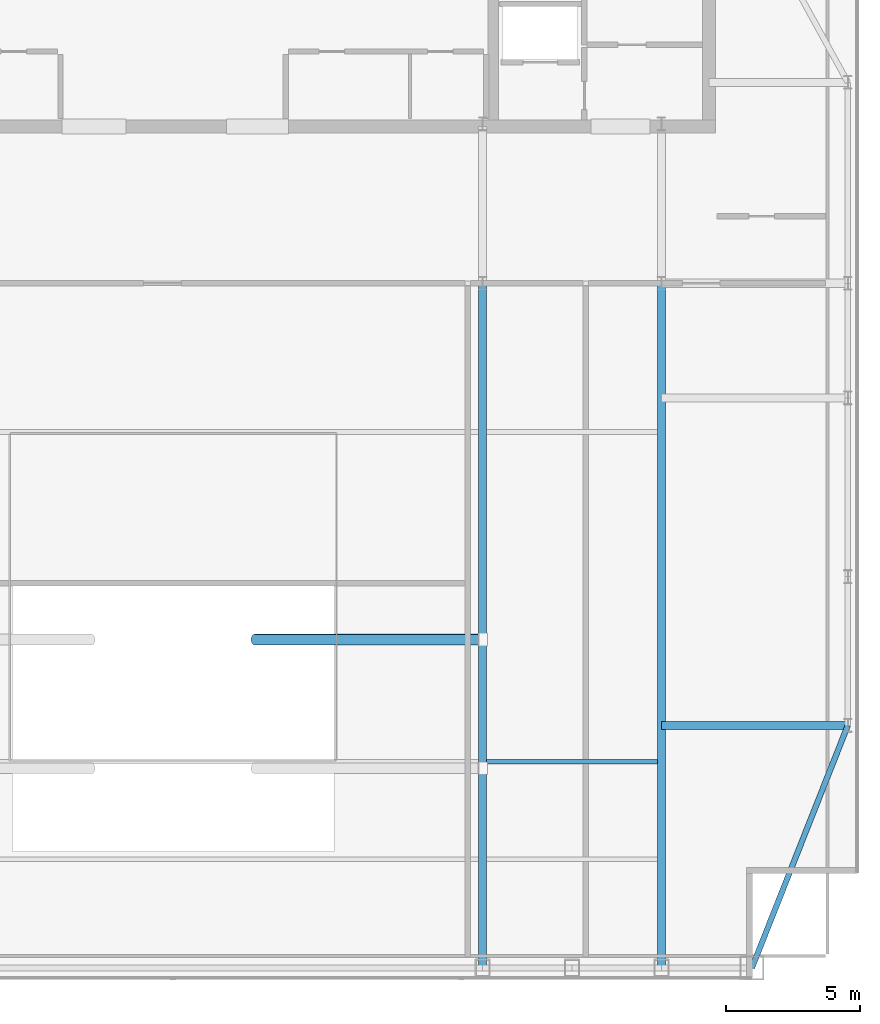
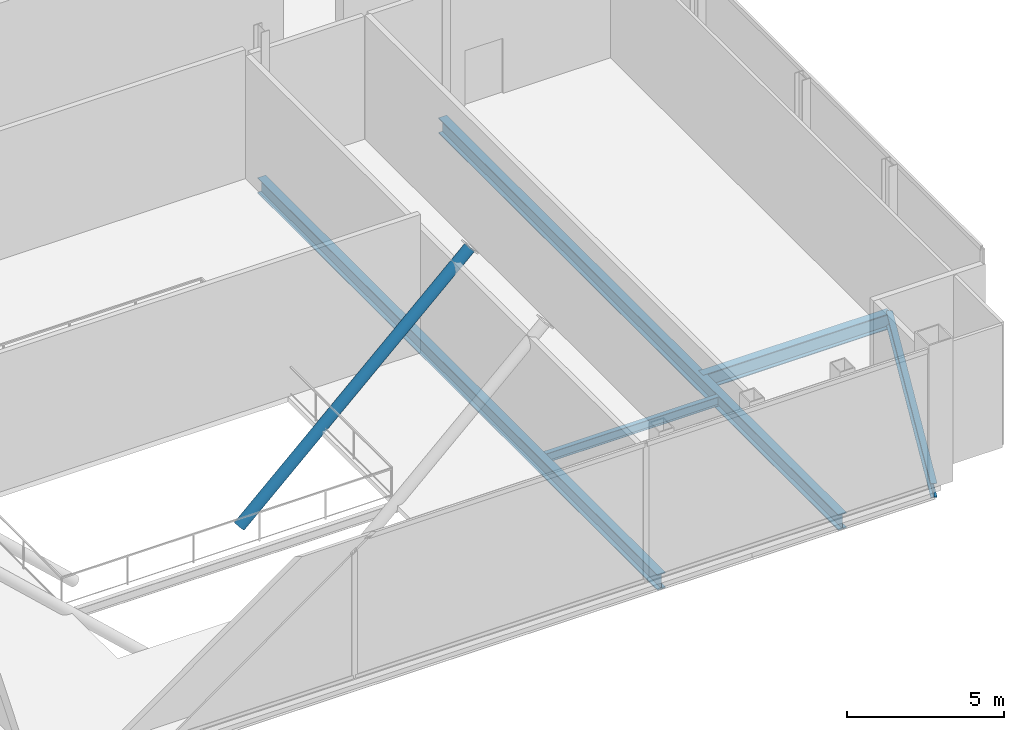
# One storey, part 12 of 23: 5 beams, 1 member.
"""IFC4 building model written with IfcOpenShell, lengths in metres."""

from ifc_helpers import new_model, si_unit, direction, frame, origin, origin_2d, place, context, subcontext, project, spatial, hollow_circle, i_section, extrude, material, material_profile, profile_set, type_object, element, save


model = new_model("IFC4")

# Units and contexts
model_context = context("Model", 3, precision=1e-05, world=origin(), true_north=direction((0.0, 1.0)))
body_context = subcontext(model_context, "Body", "Model", "MODEL_VIEW")
ifc_project = project(units=[si_unit("LENGTHUNIT", "METRE"), si_unit("AREAUNIT", "SQUARE_METRE"), si_unit("VOLUMEUNIT", "CUBIC_METRE"), si_unit("PLANEANGLEUNIT", "RADIAN"), si_unit("MASSUNIT", "GRAM", prefix="KILO")], contexts=[model_context])

# Site, building, storey
site_placement = place(None, origin())
site = spatial("IfcSite", under=ifc_project, at=site_placement, CompositionType="ELEMENT")
building_placement = place(site_placement, origin())
building = spatial("IfcBuilding", under=site, at=building_placement, Name="Khoronbel Lancet Exchange", CompositionType="ELEMENT")
storey_placement = place(building_placement, frame((0.0, 0.0, 356.199951171875)))
storey = spatial("IfcBuildingStorey", under=building, at=storey_placement, Name="L92", CompositionType="ELEMENT", Elevation=356.199951171875)

# Beams
ifc_material = material(Name="Steel S355", Category="steel")
ifc_material_profile_1 = material_profile(ifc_material, i_section(OverallWidth=0.300048828125, OverallDepth=0.60009765625, WebThickness=0.015380859375, FlangeThickness=0.030029296875, at=origin_2d()), Name="HEB 600")
ifc_profile_set_1 = profile_set([ifc_material_profile_1], Name="Steel S355")
beam_type_1 = type_object("IfcBeamType", Name="BM-BG5", PredefinedType="BEAM", material=ifc_profile_set_1)
for number, where, z_axis, x_axis, name in (
    (1, (48.0, 10.14990234375, -0.5), (0.0, 1.0, 0.0), (-1.0, 0.0, 0.0), "Level L92 south primary girder GS5"),
    (2, (54.675048828125, 10.14990234375, -0.5), (0.0, 1.0, 0.0), (-1.0, 0.0, 0.0), "Level L92 south primary girder GS6"),
):
    element("IfcBeam", number, at=place(storey_placement, frame(where, z_axis=z_axis, x_axis=x_axis)), inside=storey, type_object=beam_type_1, Name=name, PredefinedType="BEAM", context=body_context, shape_type="SweptSolid", body=[
        extrude(i_section(OverallWidth=0.300048828125, OverallDepth=0.60009765625, WebThickness=0.015380859375, FlangeThickness=0.030029296875, at=origin_2d()), origin(), (0.0, 0.0, 1.0), 25.550048828125),
    ])
beam_1_placement = place(storey_placement, frame((54.675048828125, 19.199951171875, -0.5), z_axis=(1.0, 0.0, 0.0), x_axis=(0.0, 1.0, 0.0)))
element("IfcBeam", 3, at=beam_1_placement, inside=storey, type_object=beam_type_1, Name="Level L92 east lens tie girder LG1E", PredefinedType="BEAM", context=body_context, shape_type="SweptSolid", body=[
    extrude(i_section(OverallWidth=0.300048828125, OverallDepth=0.60009765625, WebThickness=0.015380859375, FlangeThickness=0.030029296875, at=origin_2d()), origin(), (0.0, 0.0, 1.0), 6.954833984375),
])
ifc_material_profile_2 = material_profile(ifc_material, i_section(OverallWidth=0.169921875, OverallDepth=0.360107421875, WebThickness=0.008056640625, FlangeThickness=0.0126953125, at=origin_2d()), Name="IPE 360")
ifc_profile_set_2 = profile_set([ifc_material_profile_2], Name="Steel S355")
beam_type_2 = type_object("IfcBeamType", Name="BM-BJ6", PredefinedType="JOIST", material=ifc_profile_set_2)
beam_2_placement = place(storey_placement, frame((48.14990234375, 17.85009765625, -0.3798828125), z_axis=(1.0, 0.0, 0.0), x_axis=(0.0, 1.0, 0.0)))
element("IfcBeam", 4, at=beam_2_placement, inside=storey, type_object=beam_type_2, Name="Level L92 secondary composite joist J06", PredefinedType="JOIST", context=body_context, shape_type="SweptSolid", body=[
    extrude(i_section(OverallWidth=0.169921875, OverallDepth=0.360107421875, WebThickness=0.008056640625, FlangeThickness=0.0126953125, at=origin_2d()), origin(), (0.0, 0.0, 1.0), 6.375),
])
ifc_material_profile_3 = material_profile(ifc_material, i_section(OverallWidth=0.2099609375, OverallDepth=0.550048828125, WebThickness=0.010986328125, FlangeThickness=0.01708984375, at=origin_2d()), Name="IPE 550")
ifc_profile_set_3 = profile_set([ifc_material_profile_3], Name="Steel S355")
beam_type_3 = type_object("IfcBeamType", Name="BM-BSP3", PredefinedType="SPANDREL", material=ifc_profile_set_3)
beam_3_placement = place(storey_placement, frame((58.050048828125, 10.14990234375, -0.474853515625), z_axis=(0.367828403855, 0.929893684954, 0.0), x_axis=(-0.929893684954, 0.367828403855, 0.0)))
element("IfcBeam", 5, at=beam_3_placement, inside=storey, type_object=beam_type_3, Name="Level L92 perimeter spandrel beam SP08", PredefinedType="SPANDREL", context=body_context, shape_type="SweptSolid", body=[
    extrude(i_section(OverallWidth=0.2099609375, OverallDepth=0.550048828125, WebThickness=0.010986328125, FlangeThickness=0.01708984375, at=origin_2d()), origin(), (0.0, 0.0, 1.0), 9.732421875),
])

# Member
ifc_material_profile_4 = material_profile(ifc_material, hollow_circle(Radius=0.203125, WallThickness=0.02001953125, at=origin_2d()), Name="CHS 406.4x20")
ifc_profile_set_4 = profile_set([ifc_material_profile_4], Name="Steel S355")
member_type = type_object("IfcMemberType", Name="MEM-STR2", PredefinedType="STRUT", material=ifc_profile_set_4)
member_placement = place(storey_placement, frame((39.5, 22.39990234375, -2.800048828125), z_axis=(0.732480198105, 0.0, 0.680788336698), x_axis=(0.0, 1.0, 0.0)))
element("IfcMember", 6, at=member_placement, inside=storey, type_object=member_type, Name="Tuned mass damper pendulum hanger strut 3", PredefinedType="STRUT", context=body_context, shape_type="SweptSolid", body=[
    extrude(hollow_circle(Radius=0.203125, WallThickness=0.02001953125, at=origin_2d()), origin(), (0.0, 0.0, 1.0), 11.6044921875),
])

save(model, "model.ifc")
